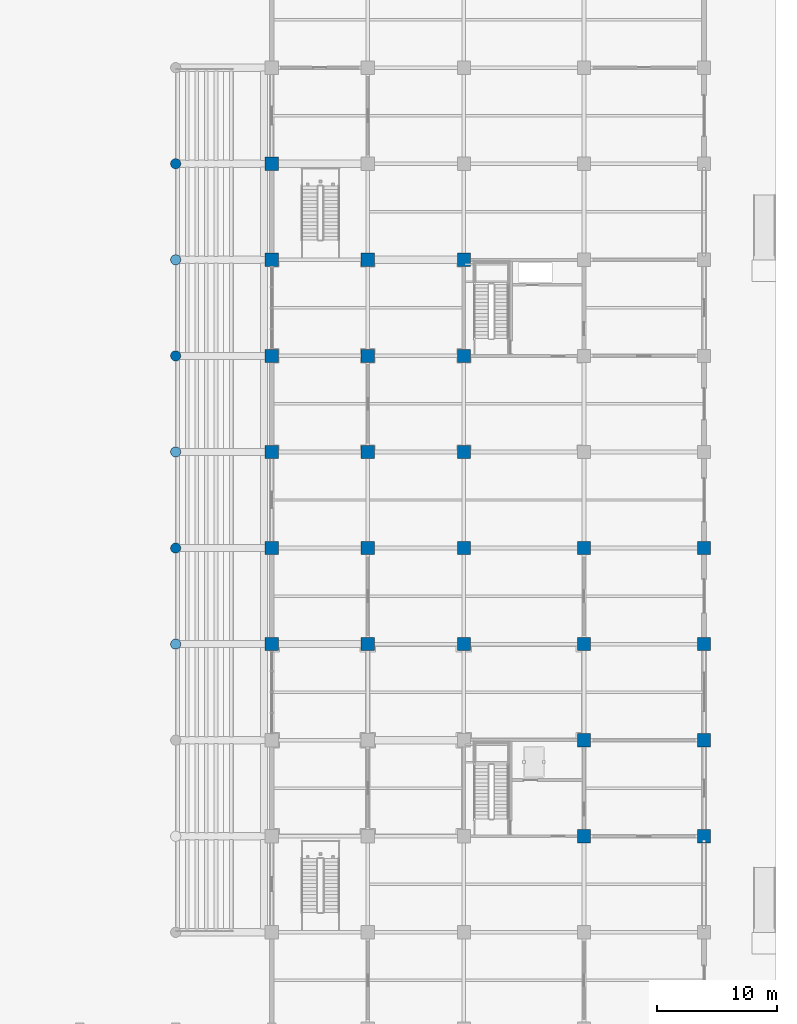
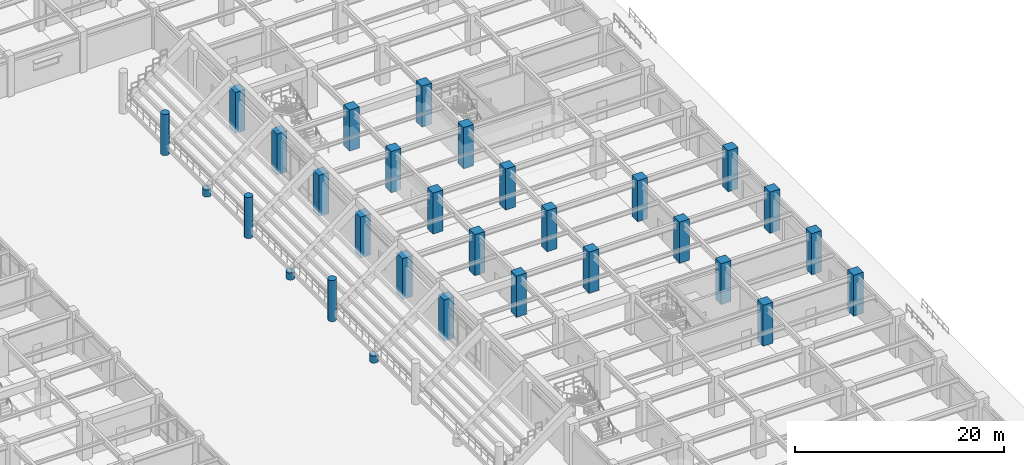
# One storey, part 15 of 125: 30 columns.
"""IFC4 building model written with IfcOpenShell, lengths in metres."""

from ifc_helpers import new_model, si_unit, direction, frame, origin, origin_2d, place, context, subcontext, project, spatial, rectangle, circle, extrude, material, material_profile, profile_set, type_object, element, save


model = new_model("IFC4")

# Units and contexts
model_context = context("Model", 3, precision=1e-05, world=origin(), true_north=direction((0.0, 1.0)))
body_context = subcontext(model_context, "Body", "Model", "MODEL_VIEW")
ifc_project = project(units=[si_unit("LENGTHUNIT", "METRE"), si_unit("AREAUNIT", "SQUARE_METRE"), si_unit("VOLUMEUNIT", "CUBIC_METRE"), si_unit("PLANEANGLEUNIT", "RADIAN"), si_unit("MASSUNIT", "GRAM", prefix="KILO")], contexts=[model_context])

# Site, building, storey
site_placement = place(None, origin())
site = spatial("IfcSite", under=ifc_project, at=site_placement, CompositionType="ELEMENT")
building_placement = place(site_placement, origin())
building = spatial("IfcBuilding", under=site, at=building_placement, Name="Haebicheon Civic Stadium", CompositionType="ELEMENT")
storey_placement = place(building_placement, origin())
storey = spatial("IfcBuildingStorey", under=building, at=storey_placement, Name="L01", CompositionType="ELEMENT", Elevation=0.0)

# Columns
ifc_material_1 = material(Name="Concrete C40/50", Category="concrete")
ifc_material_profile_1 = material_profile(ifc_material_1, rectangle(XDim=1.10009765625, YDim=1.10009765625, at=origin_2d()), Name="RC-COL-1100x1100")
ifc_profile_set_1 = profile_set([ifc_material_profile_1], Name="Concrete C40/50")
column_type_1 = type_object("IfcColumnType", Name="COL-RC-1100", PredefinedType="COLUMN", material=ifc_profile_set_1)
for number, where, z_axis, x_axis, name in (
    (1, (200.0, 80.0, 0.0), (0.0, 0.0, 1.0), (1.0, 0.0, 0.0), "L01 column 26/L"),
    (2, (200.0, 88.0, 0.0), (0.0, 0.0, 1.0), (1.0, 0.0, 0.0), "L01 column 26/M"),
    (3, (200.0, 96.0, 0.0), (0.0, 0.0, 1.0), (1.0, 0.0, 0.0), "L01 column 26/N"),
    (4, (200.0, 104.0, 0.0), (0.0, 0.0, 1.0), (1.0, 0.0, 0.0), "L01 column 26/P"),
    (5, (200.0, 112.0, 0.0), (0.0, 0.0, 1.0), (1.0, 0.0, 0.0), "L01 column 26/Q"),
    (6, (200.0, 120.0, 0.0), (0.0, 0.0, 1.0), (1.0, 0.0, 0.0), "L01 column 26/R"),
    (7, (208.0, 80.0, 0.0), (0.0, 0.0, 1.0), (1.0, 0.0, 0.0), "L01 column 27/L"),
    (8, (208.0, 88.0, 0.0), (0.0, 0.0, 1.0), (1.0, 0.0, 0.0), "L01 column 27/M"),
    (9, (208.0, 96.0, 0.0), (0.0, 0.0, 1.0), (1.0, 0.0, 0.0), "L01 column 27/N"),
    (10, (208.0, 104.0, 0.0), (0.0, 0.0, 1.0), (1.0, 0.0, 0.0), "L01 column 27/P"),
    (11, (208.0, 112.0, 0.0), (0.0, 0.0, 1.0), (1.0, 0.0, 0.0), "L01 column 27/Q"),
    (12, (216.0, 80.0, 0.0), (0.0, 0.0, 1.0), (1.0, 0.0, 0.0), "L01 column 28/L"),
    (13, (216.0, 88.0, 0.0), (0.0, 0.0, 1.0), (1.0, 0.0, 0.0), "L01 column 28/M"),
    (14, (216.0, 96.0, 0.0), (0.0, 0.0, 1.0), (1.0, 0.0, 0.0), "L01 column 28/N"),
    (15, (216.0, 104.0, 0.0), (0.0, 0.0, 1.0), (1.0, 0.0, 0.0), "L01 column 28/P"),
    (16, (216.0, 112.0, 0.0), (0.0, 0.0, 1.0), (1.0, 0.0, 0.0), "L01 column 28/Q"),
    (17, (226.0, 64.0, 0.0), (0.0, 0.0, 1.0), (1.0, 0.0, 0.0), "L01 column 29/J"),
    (18, (226.0, 72.0, 0.0), (0.0, 0.0, 1.0), (1.0, 0.0, 0.0), "L01 column 29/K"),
    (19, (226.0, 80.0, 0.0), (0.0, 0.0, 1.0), (1.0, 0.0, 0.0), "L01 column 29/L"),
    (20, (226.0, 88.0, 0.0), (0.0, 0.0, 1.0), (1.0, 0.0, 0.0), "L01 column 29/M"),
    (21, (236.0, 64.0, 0.0), (0.0, 0.0, 1.0), (1.0, 0.0, 0.0), "L01 column 30/J"),
    (22, (236.0, 72.0, 0.0), (0.0, 0.0, 1.0), (1.0, 0.0, 0.0), "L01 column 30/K"),
    (23, (236.0, 80.0, 0.0), (0.0, 0.0, 1.0), (1.0, 0.0, 0.0), "L01 column 30/L"),
    (24, (236.0, 88.0, 0.0), (0.0, 0.0, 1.0), (1.0, 0.0, 0.0), "L01 column 30/M"),
):
    element("IfcColumn", number, at=place(storey_placement, frame(where, z_axis=z_axis, x_axis=x_axis)), inside=storey, type_object=column_type_1, material=ifc_profile_set_1, Name=name, PredefinedType="COLUMN", context=body_context, shape_type="SweptSolid", body=[
        extrude(rectangle(XDim=1.10009765625, YDim=1.10009765625, at=origin_2d()), origin(), (0.0, 0.0, 1.0), 4.800048828125),
    ])
ifc_material_2 = material(Name="Concrete C40/50", Category="concrete")
ifc_material_profile_2 = material_profile(ifc_material_2, circle(Radius=0.425048828125, at=origin_2d()), Name="RC-COL-D850")
ifc_profile_set_2 = profile_set([ifc_material_profile_2], Name="Concrete C40/50")
column_type_2 = type_object("IfcColumnType", Name="COL-RC-D850", PredefinedType="COLUMN", material=ifc_profile_set_2)
column_1_placement = place(storey_placement, frame((192.0, 80.0, 0.0), z_axis=(0.0, 0.0, 1.0), x_axis=(1.0, 0.0, 0.0)))
element("IfcColumn", 25, at=column_1_placement, inside=storey, type_object=column_type_2, material=ifc_profile_set_2, Name="Bowl/canopy support column 192/80 (L01)", PredefinedType="COLUMN", context=body_context, shape_type="SweptSolid", body=[
    extrude(circle(Radius=0.425048828125, at=origin_2d()), origin(), (0.0, 0.0, 1.0), 0.8349609375),
])
column_2_placement = place(storey_placement, frame((192.0, 88.0, 0.0), z_axis=(0.0, 0.0, 1.0), x_axis=(1.0, 0.0, 0.0)))
element("IfcColumn", 26, at=column_2_placement, inside=storey, type_object=column_type_2, material=ifc_profile_set_2, Name="Bowl/canopy support column 192/88 (L01)", PredefinedType="COLUMN", context=body_context, shape_type="SweptSolid", body=[
    extrude(circle(Radius=0.425048828125, at=origin_2d()), origin(), (0.0, 0.0, 1.0), 4.800048828125),
])
column_3_placement = place(storey_placement, frame((192.0, 96.0, 0.0), z_axis=(0.0, 0.0, 1.0), x_axis=(1.0, 0.0, 0.0)))
element("IfcColumn", 27, at=column_3_placement, inside=storey, type_object=column_type_2, material=ifc_profile_set_2, Name="Bowl/canopy support column 192/96 (L01)", PredefinedType="COLUMN", context=body_context, shape_type="SweptSolid", body=[
    extrude(circle(Radius=0.425048828125, at=origin_2d()), origin(), (0.0, 0.0, 1.0), 0.8349609375),
])
column_4_placement = place(storey_placement, frame((192.0, 104.0, 0.0), z_axis=(0.0, 0.0, 1.0), x_axis=(1.0, 0.0, 0.0)))
element("IfcColumn", 28, at=column_4_placement, inside=storey, type_object=column_type_2, material=ifc_profile_set_2, Name="Bowl/canopy support column 192/104 (L01)", PredefinedType="COLUMN", context=body_context, shape_type="SweptSolid", body=[
    extrude(circle(Radius=0.425048828125, at=origin_2d()), origin(), (0.0, 0.0, 1.0), 4.800048828125),
])
column_5_placement = place(storey_placement, frame((192.0, 112.0, 0.0), z_axis=(0.0, 0.0, 1.0), x_axis=(1.0, 0.0, 0.0)))
element("IfcColumn", 29, at=column_5_placement, inside=storey, type_object=column_type_2, material=ifc_profile_set_2, Name="Bowl/canopy support column 192/112 (L01)", PredefinedType="COLUMN", context=body_context, shape_type="SweptSolid", body=[
    extrude(circle(Radius=0.425048828125, at=origin_2d()), origin(), (0.0, 0.0, 1.0), 0.8349609375),
])
column_6_placement = place(storey_placement, frame((192.0, 120.0, 0.0), z_axis=(0.0, 0.0, 1.0), x_axis=(1.0, 0.0, 0.0)))
element("IfcColumn", 30, at=column_6_placement, inside=storey, type_object=column_type_2, material=ifc_profile_set_2, Name="Bowl/canopy support column 192/120 (L01)", PredefinedType="COLUMN", context=body_context, shape_type="SweptSolid", body=[
    extrude(circle(Radius=0.425048828125, at=origin_2d()), origin(), (0.0, 0.0, 1.0), 4.800048828125),
])

save(model, "model.ifc")
